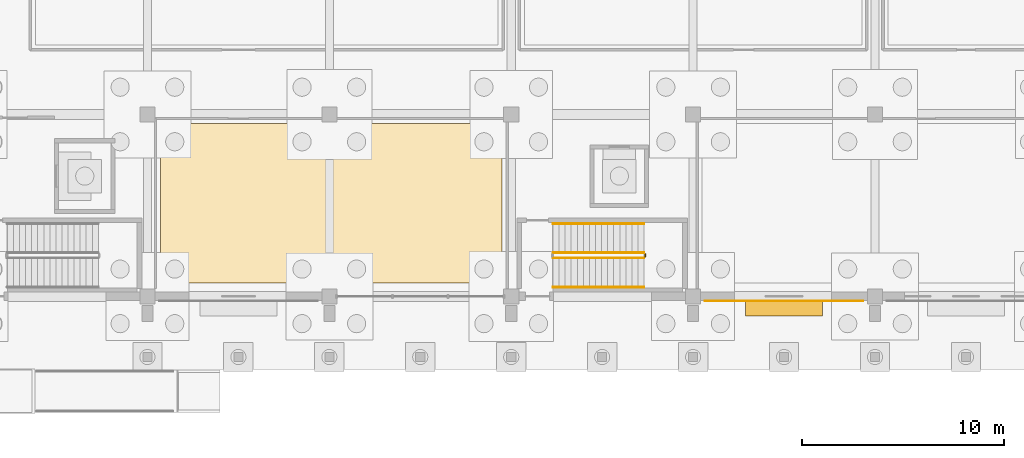
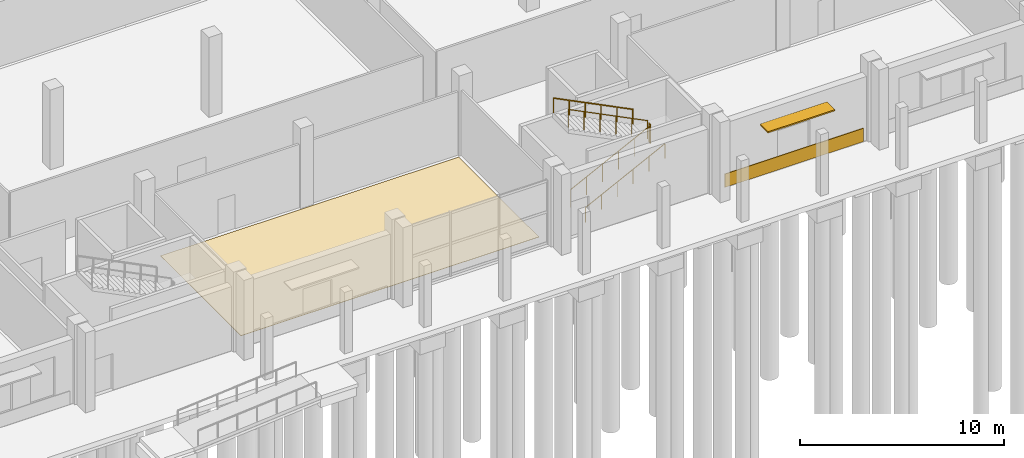
# One storey, part 91 of 112: 5 railings, 2 coverings, 1 shading device.
"""IFC4 building model written with IfcOpenShell, lengths in metres."""

from ifc_helpers import new_model, si_unit, direction, frame, origin, origin_2d, place, context, subcontext, project, spatial, polyline, rectangle, circle, outline, extrude, material, layer, layer_set, type_object, element, save


model = new_model("IFC4")

# Units and contexts
model_context = context("Model", 3, precision=1e-05, world=origin(), true_north=direction((0.0, 1.0)))
body_context = subcontext(model_context, "Body", "Model", "MODEL_VIEW")
ifc_project = project(units=[si_unit("LENGTHUNIT", "METRE"), si_unit("AREAUNIT", "SQUARE_METRE"), si_unit("VOLUMEUNIT", "CUBIC_METRE"), si_unit("PLANEANGLEUNIT", "RADIAN"), si_unit("MASSUNIT", "GRAM", prefix="KILO")], contexts=[model_context])

# Site, building, storey
site_placement = place(None, origin())
site = spatial("IfcSite", under=ifc_project, at=site_placement, CompositionType="ELEMENT")
building_placement = place(site_placement, origin())
building = spatial("IfcBuilding", under=site, at=building_placement, Name="Tharagai Park Tramway Depot", CompositionType="ELEMENT")
storey_placement = place(building_placement, origin())
storey = spatial("IfcBuildingStorey", under=building, at=storey_placement, Name="L00", CompositionType="ELEMENT", Elevation=0.0)

# Coverings
ifc_material_1 = material(Name="Charnockite stone", Category="masonry")
ifc_layer_1 = layer(ifc_material_1, 0.0400390625)
ifc_layer_set_1 = layer_set([ifc_layer_1], Name="Charnockite stone")
covering_type_1 = type_object("IfcCoveringType", Name="CV-02", PredefinedType="CLADDING", material=ifc_layer_set_1)
covering_1_placement = place(storey_placement, frame((49.5, -0.22509765625, 0.02001953125), z_axis=(0.0, 0.0, 1.0), x_axis=(1.0, 0.0, 0.0)))
element("IfcCovering", 1, at=covering_1_placement, inside=storey, type_object=covering_type_1, Name="Charnockite Plinth Cladding CV-02 #3", PredefinedType="CLADDING", context=body_context, shape_type="SweptSolid", body=[
    extrude(rectangle(XDim=7.85400390625, YDim=0.0400390625, at=origin_2d()), origin(), (0.0, 0.0, 1.0), 0.800048828125),
])
ifc_material_2 = material(Name="Terracotta floor tile", Category="masonry")
ifc_layer_2 = layer(ifc_material_2, 0.02001953125)
ifc_layer_set_2 = layer_set([ifc_layer_2], Name="Terracotta floor tile")
covering_type_2 = type_object("IfcCoveringType", Name="FN-01", PredefinedType="FLOORING", material=ifc_layer_set_2)
covering_2_placement = place(storey_placement, origin())
element("IfcCovering", 2, at=covering_2_placement, inside=storey, type_object=covering_type_2, Name="Driver Signing-On and Breathalyser Hall Floor Finish", PredefinedType="FLOORING", context=body_context, shape_type="SweptSolid", body=[
    extrude(outline(polyline([(18.64990234375, 0.64990234375), (35.550048828125, 0.64990234375), (35.550048828125, 8.550048828125), (18.64990234375, 8.550048828125), (18.64990234375, 0.64990234375)])), origin(), (0.0, 0.0, 1.0), 0.02001953125),
])

# Railings
ifc_material_3 = material(Name="Galvanised steel", Category="steel")
railing_type_1 = type_object("IfcRailingType", Name="HR-02", PredefinedType="GUARDRAIL", material=ifc_material_3)
railing_1_placement = place(storey_placement, frame((38.070068359375, 1.89990234375, 0.14990234375)))
element("IfcRailing", 3, at=railing_1_placement, inside=storey, type_object=railing_type_1, Name="L00 ST-02 stair guard 1", PredefinedType="GUARDRAIL", context=body_context, shape_type="SweptSolid", body=[
    extrude(circle(Radius=0.02392578125, at=origin_2d()), frame((0.0, 0.0, 1.076171875), z_axis=(0.894427191, 0.0, 0.4472135955), x_axis=(0.0, 1.0, 0.0)), (0.0, 0.0, 1.0), 5.03125),
    extrude(circle(Radius=0.02099609375, at=origin_2d()), origin(), (0.0, 0.0, 1.0), 1.052001953125),
    extrude(circle(Radius=0.02099609375, at=origin_2d()), frame((0.89990234375, 0.0, 0.449951171875)), (0.0, 0.0, 1.0), 1.052001953125),
    extrude(circle(Radius=0.02099609375, at=origin_2d()), frame((1.800048828125, 0.0, 0.89990234375)), (0.0, 0.0, 1.0), 1.052001953125),
    extrude(circle(Radius=0.02099609375, at=origin_2d()), frame((2.699951171875, 0.0, 1.35009765625)), (0.0, 0.0, 1.0), 1.052001953125),
    extrude(circle(Radius=0.02099609375, at=origin_2d()), frame((3.60009765625, 0.0, 1.800048828125)), (0.0, 0.0, 1.0), 1.052001953125),
    extrude(circle(Radius=0.02099609375, at=origin_2d()), frame((4.5, 0.0, 2.25)), (0.0, 0.0, 1.0), 1.052001953125),
])
railing_2_placement = place(storey_placement, frame((42.6201171875, 1.949951171875, 2.39990234375)))
element("IfcRailing", 4, at=railing_2_placement, inside=storey, type_object=railing_type_1, Name="L00 ST-02 stair guard 2", PredefinedType="GUARDRAIL", context=body_context, shape_type="SweptSolid", body=[
    extrude(circle(Radius=0.02392578125, at=origin_2d()), frame((0.0, 0.0, 1.076171875), z_axis=(0.0, 1.0, 0.0), x_axis=(-1.0, 0.0, 0.0)), (0.0, 0.0, 1.0), 0.150146484375),
    extrude(circle(Radius=0.02099609375, at=origin_2d()), origin(), (0.0, 0.0, 1.0), 1.052001953125),
    extrude(circle(Radius=0.02099609375, at=origin_2d()), frame((0.0, 0.150146484375, 0.0)), (0.0, 0.0, 1.0), 1.052001953125),
])
railing_3_placement = place(storey_placement, frame((42.570068359375, 2.14990234375, 2.550048828125)))
element("IfcRailing", 5, at=railing_3_placement, inside=storey, type_object=railing_type_1, Name="L00 ST-02 stair guard 3", PredefinedType="GUARDRAIL", context=body_context, shape_type="SweptSolid", body=[
    extrude(circle(Radius=0.02392578125, at=origin_2d()), frame((0.0, 0.0, 1.076171875), z_axis=(-0.894427191, 0.0, 0.4472135955), x_axis=(0.0, -1.0, 0.0)), (0.0, 0.0, 1.0), 5.03125),
    extrude(circle(Radius=0.02099609375, at=origin_2d()), origin(), (0.0, 0.0, 1.0), 1.052001953125),
    extrude(circle(Radius=0.02099609375, at=origin_2d()), frame((-0.89990234375, 0.0, 0.449951171875)), (0.0, 0.0, 1.0), 1.052001953125),
    extrude(circle(Radius=0.02099609375, at=origin_2d()), frame((-1.800048828125, 0.0, 0.89990234375)), (0.0, 0.0, 1.0), 1.052001953125),
    extrude(circle(Radius=0.02099609375, at=origin_2d()), frame((-2.699951171875, 0.0, 1.35009765625)), (0.0, 0.0, 1.0), 1.052001953125),
    extrude(circle(Radius=0.02099609375, at=origin_2d()), frame((-3.60009765625, 0.0, 1.800048828125)), (0.0, 0.0, 1.0), 1.052001953125),
    extrude(circle(Radius=0.02099609375, at=origin_2d()), frame((-4.5, 0.0, 2.25)), (0.0, 0.0, 1.0), 1.052001953125),
])
railing_type_2 = type_object("IfcRailingType", Name="HR-03", PredefinedType="HANDRAIL", material=ifc_material_3)
railing_4_placement = place(storey_placement, frame((38.070068359375, 0.449951171875, 0.14990234375)))
element("IfcRailing", 6, at=railing_4_placement, inside=storey, type_object=railing_type_2, Name="L00 ST-02 stair handrail 1", PredefinedType="HANDRAIL", context=body_context, shape_type="SweptSolid", body=[
    extrude(circle(Radius=0.02392578125, at=origin_2d()), frame((0.0, 0.0, 0.8759765625), z_axis=(0.894427191, 0.0, 0.4472135955), x_axis=(0.0, 1.0, 0.0)), (0.0, 0.0, 1.0), 5.03125),
    extrude(circle(Radius=0.02099609375, at=origin_2d()), origin(), (0.0, 0.0, 1.0), 0.851806640625),
    extrude(circle(Radius=0.02099609375, at=origin_2d()), frame((0.89990234375, 0.0, 0.449951171875)), (0.0, 0.0, 1.0), 0.851806640625),
    extrude(circle(Radius=0.02099609375, at=origin_2d()), frame((1.800048828125, 0.0, 0.89990234375)), (0.0, 0.0, 1.0), 0.851806640625),
    extrude(circle(Radius=0.02099609375, at=origin_2d()), frame((2.699951171875, 0.0, 1.35009765625)), (0.0, 0.0, 1.0), 0.851806640625),
    extrude(circle(Radius=0.02099609375, at=origin_2d()), frame((3.60009765625, 0.0, 1.800048828125)), (0.0, 0.0, 1.0), 0.851806640625),
    extrude(circle(Radius=0.02099609375, at=origin_2d()), frame((4.5, 0.0, 2.25)), (0.0, 0.0, 1.0), 0.851806640625),
])
railing_5_placement = place(storey_placement, frame((42.570068359375, 3.60009765625, 2.550048828125)))
element("IfcRailing", 7, at=railing_5_placement, inside=storey, type_object=railing_type_2, Name="L00 ST-02 stair handrail 2", PredefinedType="HANDRAIL", context=body_context, shape_type="SweptSolid", body=[
    extrude(circle(Radius=0.02392578125, at=origin_2d()), frame((0.0, 0.0, 0.8759765625), z_axis=(-0.894427191, 0.0, 0.4472135955), x_axis=(0.0, -1.0, 0.0)), (0.0, 0.0, 1.0), 5.03125),
    extrude(circle(Radius=0.02099609375, at=origin_2d()), origin(), (0.0, 0.0, 1.0), 0.851806640625),
    extrude(circle(Radius=0.02099609375, at=origin_2d()), frame((-0.89990234375, 0.0, 0.449951171875)), (0.0, 0.0, 1.0), 0.851806640625),
    extrude(circle(Radius=0.02099609375, at=origin_2d()), frame((-1.800048828125, 0.0, 0.89990234375)), (0.0, 0.0, 1.0), 0.851806640625),
    extrude(circle(Radius=0.02099609375, at=origin_2d()), frame((-2.699951171875, 0.0, 1.35009765625)), (0.0, 0.0, 1.0), 0.851806640625),
    extrude(circle(Radius=0.02099609375, at=origin_2d()), frame((-3.60009765625, 0.0, 1.800048828125)), (0.0, 0.0, 1.0), 0.851806640625),
    extrude(circle(Radius=0.02099609375, at=origin_2d()), frame((-4.5, 0.0, 2.25)), (0.0, 0.0, 1.0), 0.851806640625),
])

# Shading device
ifc_material_4 = material(Name="Anodised aluminium", Category="aluminium")
ifc_layer_3 = layer(ifc_material_4, 0.080078125)
ifc_layer_set_3 = layer_set([ifc_layer_3], Name="Anodised aluminium")
shading_device_type = type_object("IfcShadingDeviceType", Name="SD-04", PredefinedType="AWNING", material=ifc_layer_set_3)
shading_device_placement = place(storey_placement, frame((49.5, -0.580078125, 3.010009765625), z_axis=(0.0, 0.0, 1.0), x_axis=(1.0, 0.0, 0.0)))
element("IfcShadingDevice", 8, at=shading_device_placement, inside=storey, type_object=shading_device_type, Name="Entrance Monsoon Canopy Awning SD-04 #3", PredefinedType="AWNING", context=body_context, shape_type="SweptSolid", body=[
    extrude(rectangle(XDim=3.800048828125, YDim=0.780029296875, at=origin_2d()), origin(), (0.0, 0.0, 1.0), 0.080078125),
])

save(model, "model.ifc")
